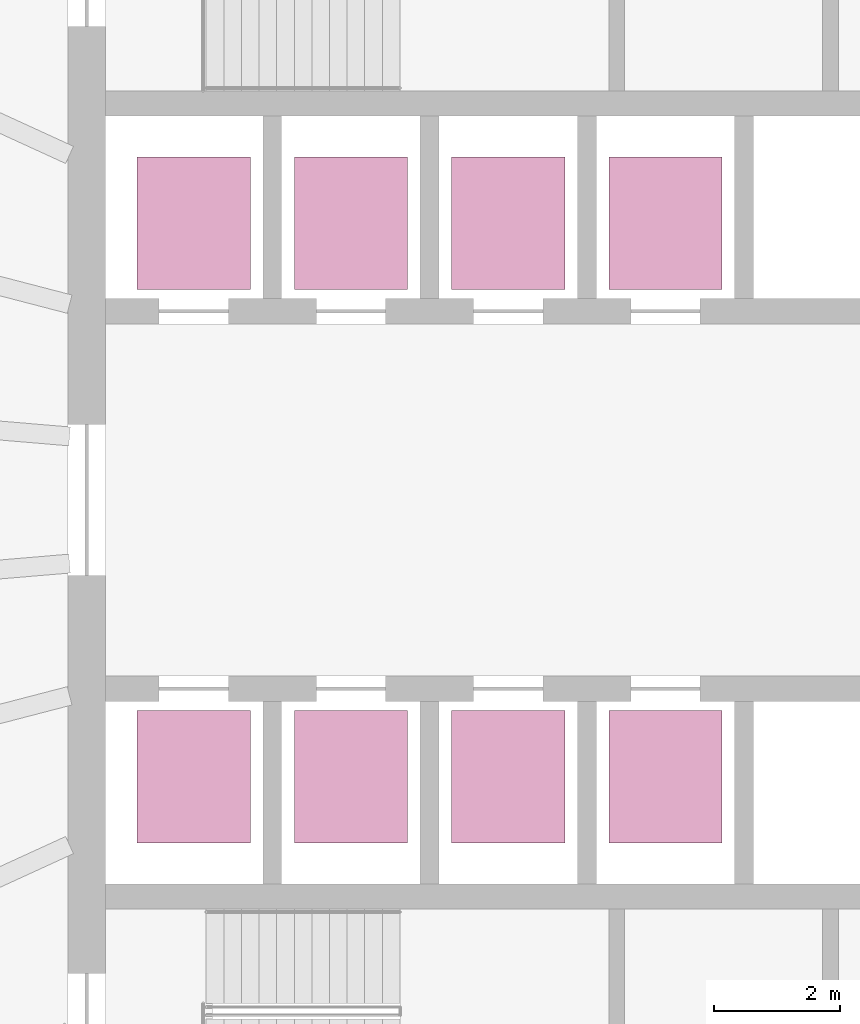
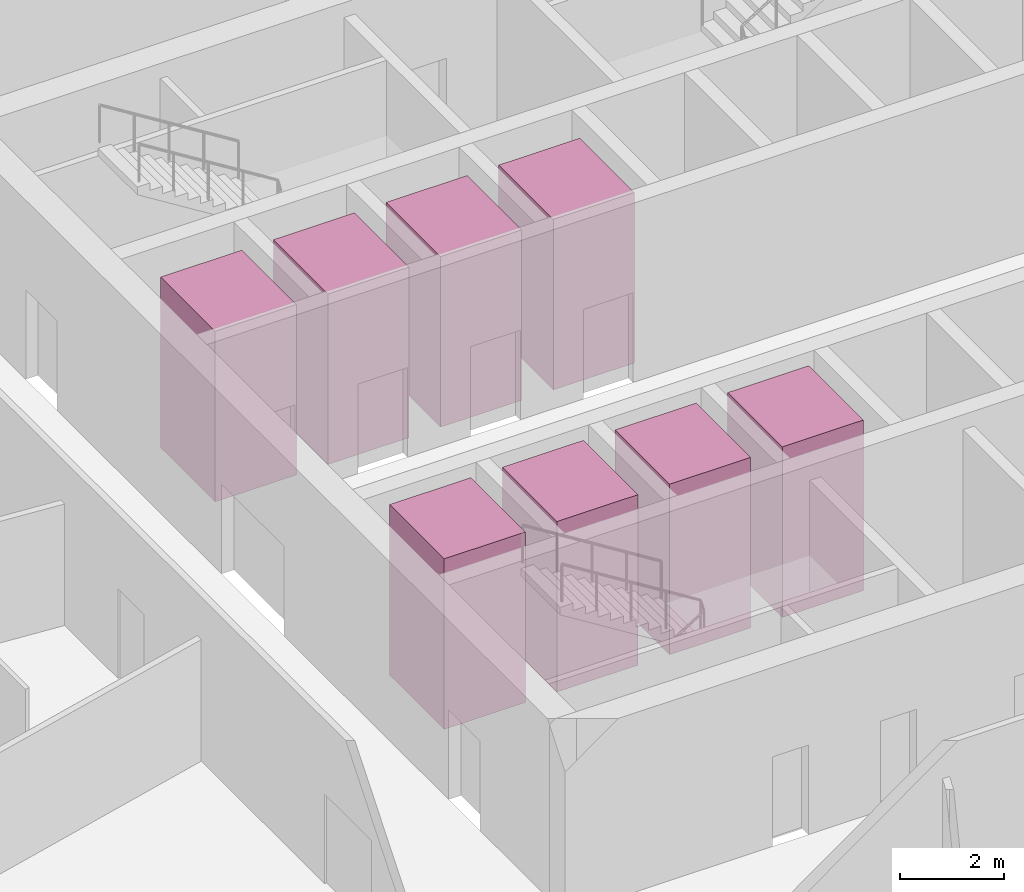
# One storey, part 10 of 10: 8 transport elements.
"""IFC4 building model written with IfcOpenShell, lengths in metres."""

from ifc_helpers import new_model, si_unit, direction, frame, origin, origin_2d, place, context, subcontext, project, spatial, rectangle, extrude, material, type_object, element, save


model = new_model("IFC4")

# Units and contexts
model_context = context("Model", 3, precision=1e-05, world=origin(), true_north=direction((0.0, 1.0)))
body_context = subcontext(model_context, "Body", "Model", "MODEL_VIEW")
ifc_project = project(units=[si_unit("LENGTHUNIT", "METRE"), si_unit("AREAUNIT", "SQUARE_METRE"), si_unit("VOLUMEUNIT", "CUBIC_METRE"), si_unit("PLANEANGLEUNIT", "RADIAN"), si_unit("MASSUNIT", "GRAM", prefix="KILO")], contexts=[model_context])

# Site, building, storey
site_placement = place(None, origin())
site = spatial("IfcSite", under=ifc_project, at=site_placement, CompositionType="ELEMENT")
building_placement = place(site_placement, origin())
building = spatial("IfcBuilding", under=site, at=building_placement, Name="Halqa Exchange Tower", CompositionType="ELEMENT")
storey_placement = place(building_placement, frame((0.0, 0.0, 163.300048828125)))
storey = spatial("IfcBuildingStorey", under=building, at=storey_placement, Name="L37", CompositionType="ELEMENT", Elevation=163.300048828125)

# Transport elements
ifc_material = material(Name="Stainless steel", Category="steel")
transport_element_type = type_object("IfcTransportElementType", Name="Low-rise passenger lift 1800 x 2100", PredefinedType="ELEVATOR", material=ifc_material)
for number, where, z_axis, x_axis, name in (
    (1, (-10.0, 4.39990234375, 0.0), (0.0, 0.0, 1.0), (1.0, 0.0, 0.0), "Low-rise passenger lift LR1"),
    (2, (-7.5, 4.39990234375, 0.0), (0.0, 0.0, 1.0), (1.0, 0.0, 0.0), "Low-rise passenger lift LR2"),
    (3, (-5.0, 4.39990234375, 0.0), (0.0, 0.0, 1.0), (1.0, 0.0, 0.0), "Low-rise passenger lift LR3"),
    (4, (-2.5, 4.39990234375, 0.0), (0.0, 0.0, 1.0), (1.0, 0.0, 0.0), "Low-rise passenger lift LR4"),
    (5, (-10.0, -4.39990234375, 0.0), (0.0, 0.0, 1.0), (1.0, 0.0, 0.0), "Low-rise passenger lift LR5"),
    (6, (-7.5, -4.39990234375, 0.0), (0.0, 0.0, 1.0), (1.0, 0.0, 0.0), "Low-rise passenger lift LR6"),
    (7, (-5.0, -4.39990234375, 0.0), (0.0, 0.0, 1.0), (1.0, 0.0, 0.0), "Low-rise passenger lift LR7"),
    (8, (-2.5, -4.39990234375, 0.0), (0.0, 0.0, 1.0), (1.0, 0.0, 0.0), "Low-rise passenger lift LR8"),
):
    element("IfcTransportElement", number, at=place(storey_placement, frame(where, z_axis=z_axis, x_axis=x_axis)), inside=storey, type_object=transport_element_type, Name=name, PredefinedType="ELEVATOR", context=body_context, shape_type="SweptSolid", body=[
        extrude(rectangle(XDim=1.800048828125, YDim=2.10009765625, at=origin_2d()), origin(), (0.0, 0.0, 1.0), 4.0),
    ])

save(model, "model.ifc")
